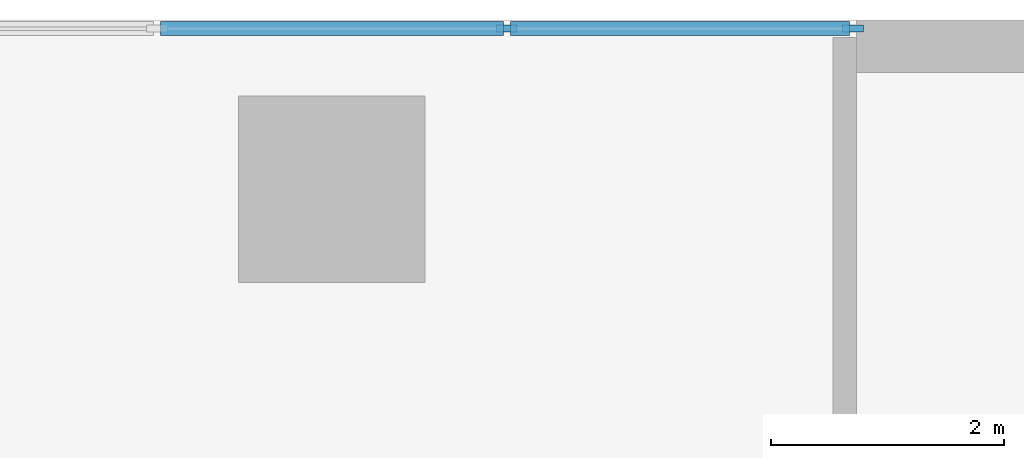
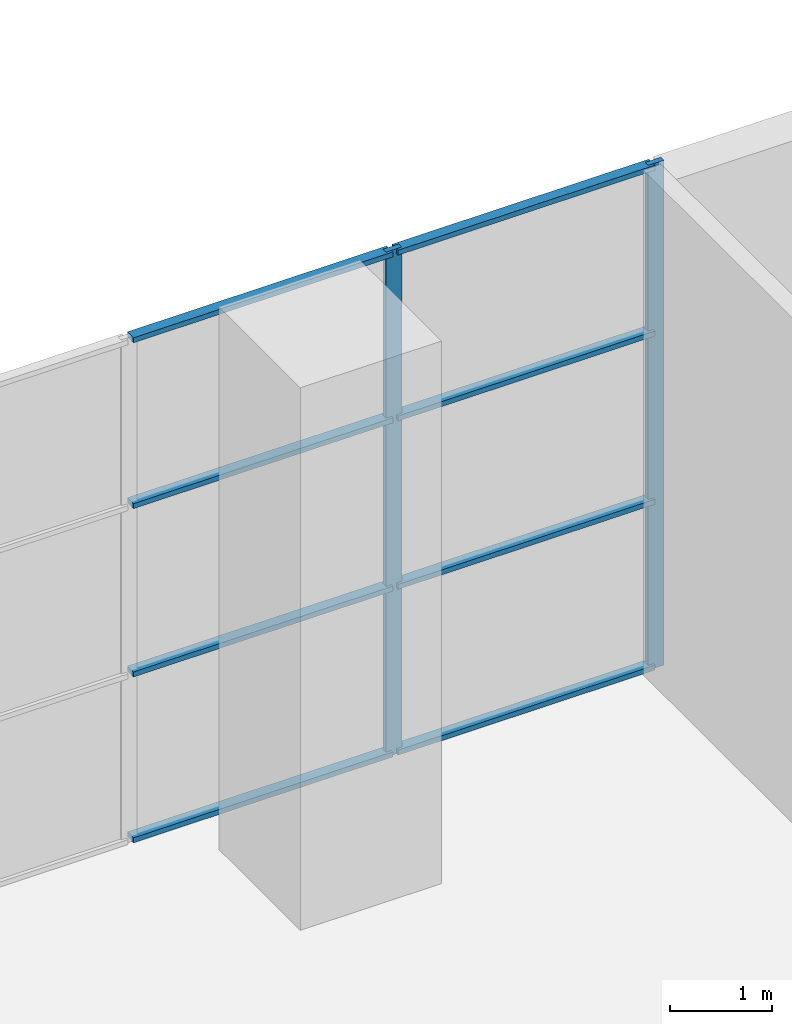
# One storey, part 4 of 24: 10 members, 1 element without a shape of its own.
"""IFC4 building model written with IfcOpenShell, lengths in metres."""

from ifc_helpers import new_model, si_unit, direction, frame, origin, origin_2d, place, context, subcontext, project, spatial, rectangle, extrude, material, material_profile, profile_set, type_object, element, aggregate, save


model = new_model("IFC4")

# Units and contexts
model_context = context("Model", 3, precision=1e-05, world=origin(), true_north=direction((0.0, 1.0)))
body_context = subcontext(model_context, "Body", "Model", "MODEL_VIEW")
ifc_project = project(units=[si_unit("LENGTHUNIT", "METRE"), si_unit("AREAUNIT", "SQUARE_METRE"), si_unit("VOLUMEUNIT", "CUBIC_METRE"), si_unit("PLANEANGLEUNIT", "RADIAN"), si_unit("MASSUNIT", "GRAM", prefix="KILO")], contexts=[model_context])

# Site, building, storey
site_placement = place(None, origin())
site = spatial("IfcSite", under=ifc_project, at=site_placement, CompositionType="ELEMENT")
building_placement = place(site_placement, origin())
building = spatial("IfcBuilding", under=site, at=building_placement, Name="Kajstack Hotel Tower", CompositionType="ELEMENT")
storey_placement = place(building_placement, frame((0.0, 0.0, 17.0)))
storey = spatial("IfcBuildingStorey", under=building, at=storey_placement, Name="L02", CompositionType="ELEMENT", Elevation=17.0)

# Curtain wall, members
ifc_material_1 = material(Name="Aluminium-framed curtain wall, low-iron laminated glass", Category="aluminium")
curtain_wall_type = type_object("IfcCurtainWallType", Name="CW-DINING", PredefinedType="NOTDEFINED", material=ifc_material_1)
curtain_wall_placement = place(storey_placement, origin())
curtain_wall = element("IfcCurtainWall", 1, at=curtain_wall_placement, inside=storey, type_object=curtain_wall_type, Name="Curtain wall CU2 L02-11-02-0", PredefinedType="NOTDEFINED")
ifc_material_2 = material(Name="Aluminium", Category="aluminium")
ifc_material_profile_1 = material_profile(ifc_material_2, rectangle(XDim=0.06005859375, YDim=0.179931640625, at=origin_2d()), Name="Aluminium mullion 60 x 180")
ifc_profile_set_1 = profile_set([ifc_material_profile_1], Name="Aluminium")
member_type_1 = type_object("IfcMemberType", Name="CW-M-DINING", PredefinedType="MULLION", material=ifc_profile_set_1)
member_1_placement = place(storey_placement, frame((13.469970703125, 21.925048828125, 0.0), z_axis=(0.0, 0.0, 1.0), x_axis=(0.0, -1.0, 0.0)))
member_1 = element("IfcMember", 2, at=member_1_placement, type_object=member_type_1, Name="CU2 mullion 1", PredefinedType="MULLION", context=body_context, shape_type="SweptSolid", body=[
    extrude(rectangle(XDim=0.06005859375, YDim=0.179931640625, at=origin_2d()), origin(), (0.0, 0.0, 1.0), 6.050048828125),
])
member_2_placement = place(storey_placement, frame((10.5, 21.925048828125, 0.0), z_axis=(0.0, 0.0, 1.0), x_axis=(0.0, -1.0, 0.0)))
member_2 = element("IfcMember", 3, at=member_2_placement, type_object=member_type_1, Name="CU2 mullion 2", PredefinedType="MULLION", context=body_context, shape_type="SweptSolid", body=[
    extrude(rectangle(XDim=0.06005859375, YDim=0.179931640625, at=origin_2d()), origin(), (0.0, 0.0, 1.0), 6.050048828125),
])
ifc_material_profile_2 = material_profile(ifc_material_2, rectangle(XDim=0.1201171875, YDim=0.06005859375, at=origin_2d()), Name="Aluminium transom 120 x 60")
ifc_profile_set_2 = profile_set([ifc_material_profile_2], Name="Aluminium")
member_type_2 = type_object("IfcMemberType", Name="CW-T-DINING", PredefinedType="USERDEFINED", material=ifc_profile_set_2)
member_3_placement = place(storey_placement, frame((13.43994140625, 21.925048828125, 0.030029296875), z_axis=(-1.0, 0.0, 0.0), x_axis=(0.0, -1.0, 0.0)))
member_3 = element("IfcMember", 4, at=member_3_placement, type_object=member_type_2, Name="CU2 transom 1.1", ObjectType="TRANSOM", PredefinedType="USERDEFINED", context=body_context, shape_type="SweptSolid", body=[
    extrude(rectangle(XDim=0.1201171875, YDim=0.06005859375, at=origin_2d()), origin(), (0.0, 0.0, 1.0), 2.909912109375),
])
member_4_placement = place(storey_placement, frame((13.43994140625, 21.925048828125, 2.0166015625), z_axis=(-1.0, 0.0, 0.0), x_axis=(0.0, -1.0, 0.0)))
member_4 = element("IfcMember", 5, at=member_4_placement, type_object=member_type_2, Name="CU2 transom 1.2", ObjectType="TRANSOM", PredefinedType="USERDEFINED", context=body_context, shape_type="SweptSolid", body=[
    extrude(rectangle(XDim=0.1201171875, YDim=0.06005859375, at=origin_2d()), origin(), (0.0, 0.0, 1.0), 2.909912109375),
])
member_5_placement = place(storey_placement, frame((13.43994140625, 21.925048828125, 4.033203125), z_axis=(-1.0, 0.0, 0.0), x_axis=(0.0, -1.0, 0.0)))
member_5 = element("IfcMember", 6, at=member_5_placement, type_object=member_type_2, Name="CU2 transom 1.3", ObjectType="TRANSOM", PredefinedType="USERDEFINED", context=body_context, shape_type="SweptSolid", body=[
    extrude(rectangle(XDim=0.1201171875, YDim=0.06005859375, at=origin_2d()), origin(), (0.0, 0.0, 1.0), 2.909912109375),
])
member_6_placement = place(storey_placement, frame((13.43994140625, 21.925048828125, 6.02001953125), z_axis=(-1.0, 0.0, 0.0), x_axis=(0.0, -1.0, 0.0)))
member_6 = element("IfcMember", 7, at=member_6_placement, type_object=member_type_2, Name="CU2 transom 1.4", ObjectType="TRANSOM", PredefinedType="USERDEFINED", context=body_context, shape_type="SweptSolid", body=[
    extrude(rectangle(XDim=0.1201171875, YDim=0.06005859375, at=origin_2d()), origin(), (0.0, 0.0, 1.0), 2.909912109375),
])
member_7_placement = place(storey_placement, frame((10.469970703125, 21.925048828125, 0.030029296875), z_axis=(-1.0, 0.0, 0.0), x_axis=(0.0, -1.0, 0.0)))
member_7 = element("IfcMember", 8, at=member_7_placement, type_object=member_type_2, Name="CU2 transom 2.1", ObjectType="TRANSOM", PredefinedType="USERDEFINED", context=body_context, shape_type="SweptSolid", body=[
    extrude(rectangle(XDim=0.1201171875, YDim=0.06005859375, at=origin_2d()), origin(), (0.0, 0.0, 1.0), 2.93994140625),
])
member_8_placement = place(storey_placement, frame((10.469970703125, 21.925048828125, 2.0166015625), z_axis=(-1.0, 0.0, 0.0), x_axis=(0.0, -1.0, 0.0)))
member_8 = element("IfcMember", 9, at=member_8_placement, type_object=member_type_2, Name="CU2 transom 2.2", ObjectType="TRANSOM", PredefinedType="USERDEFINED", context=body_context, shape_type="SweptSolid", body=[
    extrude(rectangle(XDim=0.1201171875, YDim=0.06005859375, at=origin_2d()), origin(), (0.0, 0.0, 1.0), 2.93994140625),
])
member_9_placement = place(storey_placement, frame((10.469970703125, 21.925048828125, 4.033203125), z_axis=(-1.0, 0.0, 0.0), x_axis=(0.0, -1.0, 0.0)))
member_9 = element("IfcMember", 10, at=member_9_placement, type_object=member_type_2, Name="CU2 transom 2.3", ObjectType="TRANSOM", PredefinedType="USERDEFINED", context=body_context, shape_type="SweptSolid", body=[
    extrude(rectangle(XDim=0.1201171875, YDim=0.06005859375, at=origin_2d()), origin(), (0.0, 0.0, 1.0), 2.93994140625),
])
member_10_placement = place(storey_placement, frame((10.469970703125, 21.925048828125, 6.02001953125), z_axis=(-1.0, 0.0, 0.0), x_axis=(0.0, -1.0, 0.0)))
member_10 = element("IfcMember", 11, at=member_10_placement, type_object=member_type_2, Name="CU2 transom 2.4", ObjectType="TRANSOM", PredefinedType="USERDEFINED", context=body_context, shape_type="SweptSolid", body=[
    extrude(rectangle(XDim=0.1201171875, YDim=0.06005859375, at=origin_2d()), origin(), (0.0, 0.0, 1.0), 2.93994140625),
])
aggregate(curtain_wall, [member_1, member_2, member_3, member_4, member_5, member_6, member_7, member_8, member_9, member_10])

save(model, "model.ifc")
